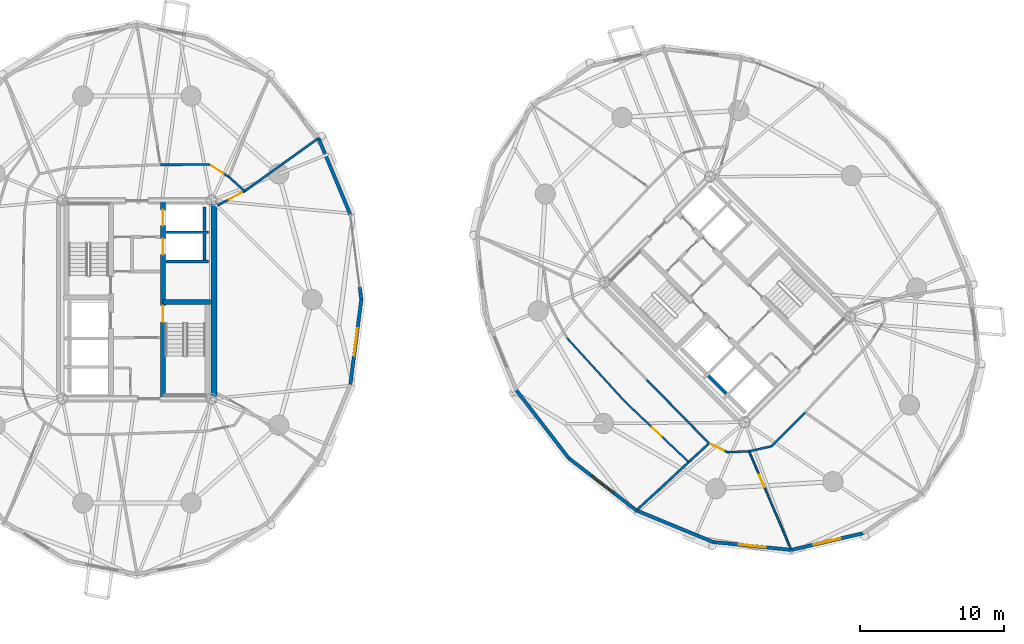
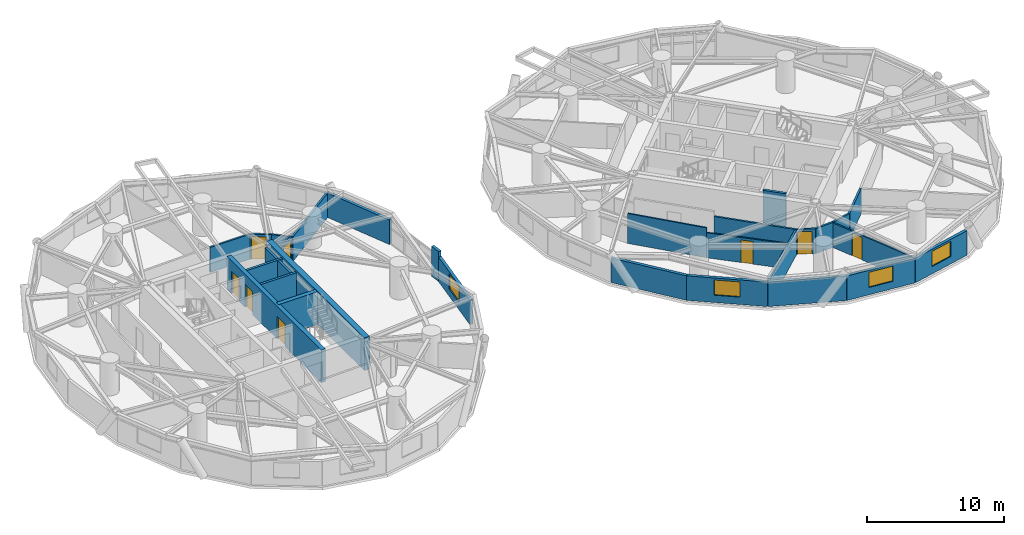
# One storey, part 11 of 17: 30 walls, 8 doors, 4 windows, 12 openings.
"""IFC4 building model written with IfcOpenShell, lengths in metres."""

from ifc_helpers import new_model, si_unit, direction, frame, frame_2d, origin, place, context, subcontext, project, spatial, rectangle, extrude, source, transform, mapped, material, layer, layer_set, type_object, element, fill, save


model = new_model("IFC4")

# Units and contexts
model_context = context("Model", 3, precision=1e-05, world=origin(), true_north=direction((0.0, 1.0)))
body_context = subcontext(model_context, "Body", "Model", "MODEL_VIEW")
ifc_project = project(units=[si_unit("LENGTHUNIT", "METRE"), si_unit("AREAUNIT", "SQUARE_METRE"), si_unit("VOLUMEUNIT", "CUBIC_METRE"), si_unit("PLANEANGLEUNIT", "RADIAN"), si_unit("MASSUNIT", "GRAM", prefix="KILO")], contexts=[model_context])

# Site, building, storey
site_placement = place(None, origin())
site = spatial("IfcSite", under=ifc_project, at=site_placement, CompositionType="ELEMENT")
building_placement = place(site_placement, origin())
building = spatial("IfcBuilding", under=site, at=building_placement, Name="Cununo Teusaquillo Station Towers", CompositionType="ELEMENT")
storey_placement = place(building_placement, frame((0.0, 0.0, 116.7099609375)))
storey = spatial("IfcBuildingStorey", under=building, at=storey_placement, Name="L37", CompositionType="ELEMENT", Elevation=116.7099609375)

# Walls
ifc_material_1 = material(Name="Concrete C50/60", Category="concrete")
ifc_layer_1 = layer(ifc_material_1, 0.199951171875)
ifc_layer_set_1 = layer_set([ifc_layer_1], Name="Concrete C50/60")
wall_type_1 = type_object("IfcWallType", Name="WL-CORE-200", PredefinedType="SHEAR", material=ifc_layer_set_1)
for number, where, z_axis, x_axis, name in (
    (1, (18.510009765625, 27.1298828125, 0.0), (0.0, 0.0, 1.0), (1.0, 0.0, 0.0), "L37 Tower A Low-Rise Lift Hoistway South Shear Wall"),
    (2, (18.510009765625, 29.175048828125, 0.0), (0.0, 0.0, 1.0), (1.0, 0.0, 0.0), "L37 Tower A Low-Rise Lift Hoistway Divider Shear Wall"),
):
    element("IfcWall", number, at=place(storey_placement, frame(where, z_axis=z_axis, x_axis=x_axis)), inside=storey, type_object=wall_type_1, Name=name, PredefinedType="SHEAR", context=body_context, shape_type="SweptSolid", body=[
        extrude(rectangle(XDim=2.969970703125, YDim=0.199951171875, at=frame_2d((1.48486328125, 0.0))), origin(), (0.0, 0.0, 1.0), 2.91015625),
    ])
wall_1_placement = place(storey_placement, frame((21.179931640625, 27.25, 0.0), z_axis=(0.0, 0.0, 1.0), x_axis=(0.0, 1.0, 0.0)))
element("IfcWall", 3, at=wall_1_placement, inside=storey, type_object=wall_type_1, Name="L37 Tower A Low-Rise Lift 1 Shaft Rear Shear Wall", PredefinedType="SHEAR", context=body_context, shape_type="SweptSolid", body=[
    extrude(rectangle(XDim=1.804931640625, YDim=0.199951171875, at=frame_2d((0.90234375, 0.0))), origin(), (0.0, 0.0, 1.0), 2.91015625),
])
wall_2_placement = place(storey_placement, frame((21.179931640625, 29.294921875, 0.0), z_axis=(0.0, 0.0, 1.0), x_axis=(0.0, 1.0, 0.0)))
element("IfcWall", 4, at=wall_2_placement, inside=storey, type_object=wall_type_1, Name="L37 Tower A Low-Rise Lift 2 Shaft Rear Shear Wall", PredefinedType="SHEAR", context=body_context, shape_type="SweptSolid", body=[
    extrude(rectangle(XDim=1.635009765625, YDim=0.199951171875, at=frame_2d((0.8173828125, 0.0))), origin(), (0.0, 0.0, 1.0), 2.91015625),
])
wall_3_placement = place(storey_placement, frame((57.41162109375, 17.969970703125, 0.0), z_axis=(0.0, 0.0, 1.0), x_axis=(-0.707106781187, 0.707106781187, 0.0)))
element("IfcWall", 5, at=wall_3_placement, inside=storey, type_object=wall_type_1, Name="L37 Tower B High-Rise Lift 2 Shaft Rear Shear Wall", PredefinedType="SHEAR", context=body_context, shape_type="SweptSolid", body=[
    extrude(rectangle(XDim=1.73486328125, YDim=0.199951171875, at=frame_2d((0.867431640625, 0.0))), origin(), (0.0, 0.0, 1.0), 2.91015625),
])

# Wall, openings, doors
ifc_material_2 = material(Name="Concrete C50/60", Category="concrete")
ifc_layer_2 = layer(ifc_material_2, 0.35009765625)
ifc_layer_set_2 = layer_set([ifc_layer_2], Name="Concrete C50/60")
wall_type_2 = type_object("IfcWallType", Name="WL-CORE-350", PredefinedType="SHEAR", material=ifc_layer_set_2)
wall_4_placement = place(storey_placement, frame((18.31494140625, 17.625, 0.0), z_axis=(0.0, 0.0, 1.0), x_axis=(0.0, 1.0, 0.0)))
wall_4 = element("IfcWall", 6, at=wall_4_placement, inside=storey, type_object=wall_type_2, Name="L37 Tower A Core Shear Wall IE", PredefinedType="SHEAR", context=body_context, shape_type="SweptSolid", body=[
    extrude(rectangle(XDim=13.75, YDim=0.35009765625, at=frame_2d((6.875, 0.0))), origin(), (0.0, 0.0, 1.0), 2.91015625),
])
shared_shape_1 = source(origin(), body_context, "Body", "SweptSolid", [
    extrude(rectangle(XDim=1.10009765625, YDim=2.014892578125, at=frame_2d((0.550048828125, 1.00732421875))), frame((0.0, 0.18505859375, 0.0), z_axis=(0.0, -1.0, 0.0), x_axis=(1.0, 0.0, 0.0)), (0.0, 0.0, 1.0), 0.3701171875),
])
opening_1_placement = place(wall_4_placement, frame((10.0, 0.0, 0.0)))
opening_1 = element("IfcOpeningElement", 7, at=opening_1_placement, cuts=wall_4, Name="Opening LD-01", PredefinedType="OPENING", context=body_context, shape_type="MappedRepresentation", body=[
    mapped(shared_shape_1, transform((0.0, 0.0, 0.0), x_axis=(1.0, 0.0, 0.0), y_axis=(0.0, 1.0, 0.0), z_axis=(0.0, 0.0, 1.0), scale=1.0)),
])
opening_2_placement = place(wall_4_placement, frame((12.0, 0.0, 0.0)))
opening_2 = element("IfcOpeningElement", 8, at=opening_2_placement, cuts=wall_4, Name="Opening LD-01", PredefinedType="OPENING", context=body_context, shape_type="MappedRepresentation", body=[
    mapped(shared_shape_1, transform((0.0, 0.0, 0.0), x_axis=(1.0, 0.0, 0.0), y_axis=(0.0, 1.0, 0.0), z_axis=(0.0, 0.0, 1.0), scale=1.0)),
])
shared_shape_2 = source(origin(), body_context, "Body", "SweptSolid", [
    extrude(rectangle(XDim=1.14990234375, YDim=2.02001953125, at=frame_2d((0.574951171875, 1.010009765625))), frame((0.0, 0.18505859375, 0.0), z_axis=(0.0, -1.0, 0.0), x_axis=(1.0, 0.0, 0.0)), (0.0, 0.0, 1.0), 0.3701171875),
])
opening_3_placement = place(wall_4_placement, frame((5.304931640625, 0.0, 0.0)))
opening_3 = element("IfcOpeningElement", 9, at=opening_3_placement, cuts=wall_4, Name="Opening D-ST1", PredefinedType="OPENING", context=body_context, shape_type="MappedRepresentation", body=[
    mapped(shared_shape_2, transform((0.0, 0.0, 0.0), x_axis=(1.0, 0.0, 0.0), y_axis=(0.0, 1.0, 0.0), z_axis=(0.0, 0.0, 1.0), scale=1.0)),
])
ifc_material_3 = material(Name="Galvanised fire-rated hollow steel door assembly", Category="steel")
door_type_1 = type_object("IfcDoorType", Name="DR-LIFT-1100", OperationType="SLIDING_TO_LEFT", PredefinedType="DOOR", material=ifc_material_3)
shared_shape_3 = source(origin(), body_context, "Body", "SweptSolid", [
    extrude(rectangle(XDim=1.10009765625, YDim=2.014892578125, at=frame_2d((0.550048828125, 1.00732421875))), frame((0.0, 0.02490234375, 0.0), z_axis=(0.0, -1.0, 0.0), x_axis=(1.0, 0.0, 0.0)), (0.0, 0.0, 1.0), 0.050048828125),
])
door_1_placement = place(opening_1_placement, origin())
door_1 = element("IfcDoor", 10, at=door_1_placement, inside=storey, type_object=door_type_1, Name="L37 Lift PL-T1-L1 Sliding Landing Door", OperationType="SLIDING_TO_RIGHT", OverallHeight=2.014892578125, OverallWidth=1.10009765625, PredefinedType="DOOR", context=body_context, shape_type="MappedRepresentation", body=[
    mapped(shared_shape_3, transform((0.0, 0.0, 0.0), x_axis=(1.0, 0.0, 0.0), y_axis=(0.0, 1.0, 0.0), z_axis=(0.0, 0.0, 1.0), scale=1.0)),
])
fill(opening_1, door_1)
door_2_placement = place(opening_2_placement, origin())
door_2 = element("IfcDoor", 11, at=door_2_placement, inside=storey, type_object=door_type_1, Name="L37 Lift PL-T1-L2 Sliding Landing Door", OperationType="SLIDING_TO_LEFT", OverallHeight=2.014892578125, OverallWidth=1.10009765625, PredefinedType="DOOR", context=body_context, shape_type="MappedRepresentation", body=[
    mapped(shared_shape_3, transform((0.0, 0.0, 0.0), x_axis=(1.0, 0.0, 0.0), y_axis=(0.0, 1.0, 0.0), z_axis=(0.0, 0.0, 1.0), scale=1.0)),
])
fill(opening_2, door_2)
ifc_material_4 = material(Name="Galvanised fire-rated hollow steel door assembly", Category="steel")
door_type_2 = type_object("IfcDoorType", Name="DR-STAIR-1150", OperationType="NOTDEFINED", PredefinedType="DOOR", material=ifc_material_4)
shared_shape_4 = source(origin(), body_context, "Body", "SweptSolid", [
    extrude(rectangle(XDim=1.14990234375, YDim=2.02001953125, at=frame_2d((0.574951171875, 1.010009765625))), frame((0.0, 0.02490234375, 0.0), z_axis=(0.0, -1.0, 0.0), x_axis=(1.0, 0.0, 0.0)), (0.0, 0.0, 1.0), 0.050048828125),
])
door_3_placement = place(opening_3_placement, origin())
door_3 = element("IfcDoor", 12, at=door_3_placement, inside=storey, type_object=door_type_2, Name="L37 Tower A Exit Stair 2 Fire Door", OperationType="SINGLE_SWING_LEFT", OverallHeight=2.02001953125, OverallWidth=1.14990234375, PredefinedType="DOOR", context=body_context, shape_type="MappedRepresentation", body=[
    mapped(shared_shape_4, transform((0.0, 0.0, 0.0), x_axis=(1.0, 0.0, 0.0), y_axis=(0.0, 1.0, 0.0), z_axis=(0.0, 0.0, 1.0), scale=1.0)),
])
fill(opening_3, door_3)

# Walls
wall_5_placement = place(storey_placement, frame((18.31494140625, 24.344970703125, 0.0), z_axis=(0.0, 0.0, 1.0), x_axis=(1.0, 0.0, 0.0)))
element("IfcWall", 13, at=wall_5_placement, inside=storey, type_object=wall_type_2, Name="L37 Tower A Core Shear Wall ST2N", PredefinedType="SHEAR", context=body_context, shape_type="SweptSolid", body=[
    extrude(rectangle(XDim=3.28515625, YDim=0.35009765625, at=frame_2d((1.642578125, 0.0))), origin(), (0.0, 0.0, 1.0), 2.91015625),
])
ifc_material_5 = material(Name="Concrete C60/75", Category="concrete")
ifc_layer_3 = layer(ifc_material_5, 0.449951171875)
ifc_layer_set_3 = layer_set([ifc_layer_3], Name="Concrete C60/75")
wall_type_3 = type_object("IfcWallType", Name="WL-CORE-450", PredefinedType="SHEAR", material=ifc_layer_set_3)
wall_6_placement = place(storey_placement, frame((21.85009765625, 17.39990234375, 0.0), z_axis=(0.0, 0.0, 1.0), x_axis=(0.0, 1.0, 0.0)))
element("IfcWall", 14, at=wall_6_placement, inside=storey, type_object=wall_type_3, Name="L37 Tower A Core Shear Wall E", PredefinedType="SHEAR", context=body_context, shape_type="SweptSolid", body=[
    extrude(rectangle(XDim=14.2001953125, YDim=0.449951171875, at=frame_2d((7.10009765625, 0.0))), origin(), (0.0, 0.0, 1.0), 2.91015625),
])
ifc_material_6 = material(Name="Precast concrete C40/50", Category="concrete")
ifc_layer_4 = layer(ifc_material_6, 0.239990234375)
ifc_layer_set_4 = layer_set([ifc_layer_4], Name="Precast concrete C40/50")
wall_type_4 = type_object("IfcWallType", Name="WL-EXT-240", PredefinedType="SOLIDWALL", material=ifc_layer_set_4)
wall_7_placement = place(storey_placement, frame((31.96923828125, 25.36279296875, 0.0), z_axis=(0.0, 0.0, 1.0), x_axis=(0.128523364007, -0.991706481225, 0.0)))
element("IfcWall", 15, at=wall_7_placement, inside=storey, type_object=wall_type_4, Name="L37 Tower A Column Pier Cladding Wall C00-PB", PredefinedType="SOLIDWALL", context=body_context, shape_type="SweptSolid", body=[
    extrude(rectangle(XDim=0.8701171875, YDim=0.239990234375, at=frame_2d((0.43505859375, 0.0))), origin(), (0.0, 0.0, 1.0), 2.655029296875),
])
wall_8_placement = place(storey_placement, frame((29.105224609375, 35.708984375, 0.0), z_axis=(0.0, 0.0, 1.0), x_axis=(0.384344417632, -0.923189779317, 0.0)))
element("IfcWall", 16, at=wall_8_placement, inside=storey, type_object=wall_type_4, Name="L37 Tower A Exterior Facade Wall C01", PredefinedType="SOLIDWALL", context=body_context, shape_type="SweptSolid", body=[
    extrude(rectangle(XDim=5.75830078125, YDim=0.239990234375, at=frame_2d((2.879150390625, 0.0))), origin(), (0.0, 0.0, 1.0), 2.178955078125),
])

# Wall, opening, window
wall_9_placement = place(storey_placement, frame((32.0810546875, 24.5, 0.0), z_axis=(0.0, 0.0, 1.0), x_axis=(-0.128351991996, -0.991728675672, 0.0)))
wall_9 = element("IfcWall", 17, at=wall_9_placement, inside=storey, type_object=wall_type_4, Name="L37 Tower A Exterior Facade Wall C19", PredefinedType="SOLIDWALL", context=body_context, shape_type="SweptSolid", body=[
    extrude(rectangle(XDim=5.942138671875, YDim=0.239990234375, at=frame_2d((2.97119140625, 0.0))), origin(), (0.0, 0.0, 1.0), 2.178955078125),
])
shared_shape_5 = source(origin(), body_context, "Body", "SweptSolid", [
    extrude(rectangle(XDim=1.89990234375, YDim=1.35009765625, at=frame_2d((0.949951171875, 0.675048828125))), frame((0.0, 0.1298828125, 0.0), z_axis=(0.0, -1.0, 0.0), x_axis=(1.0, 0.0, 0.0)), (0.0, 0.0, 1.0), 0.260009765625),
])
opening_4_placement = place(wall_9_placement, frame((2.02099609375, 0.0, 0.64990234375)))
opening_4 = element("IfcOpeningElement", 18, at=opening_4_placement, cuts=wall_9, Name="Opening WN-02", PredefinedType="OPENING", context=body_context, shape_type="MappedRepresentation", body=[
    mapped(shared_shape_5, transform((0.0, 0.0, 0.0), x_axis=(1.0, 0.0, 0.0), y_axis=(0.0, 1.0, 0.0), z_axis=(0.0, 0.0, 1.0), scale=1.0)),
])
ifc_material_7 = material(Name="Operable acoustic tinted low-E double glazing", Category="glass")
window_type = type_object("IfcWindowType", Name="WIN-OPER-1900", PartitioningType="DOUBLE_PANEL_VERTICAL", PredefinedType="WINDOW", material=ifc_material_7)
shared_shape_6 = source(origin(), body_context, "Body", "SweptSolid", [
    extrude(rectangle(XDim=1.89990234375, YDim=1.35009765625, at=frame_2d((0.949951171875, 0.675048828125))), frame((0.0, 0.030029296875, 0.0), z_axis=(0.0, -1.0, 0.0), x_axis=(1.0, 0.0, 0.0)), (0.0, 0.0, 1.0), 0.06005859375),
])
window_1_placement = place(opening_4_placement, origin())
window_1 = element("IfcWindow", 19, at=window_1_placement, inside=storey, type_object=window_type, Name="L37 Tower A Facade Window C19", OverallHeight=1.35009765625, OverallWidth=1.89990234375, PartitioningType="DOUBLE_PANEL_VERTICAL", PredefinedType="WINDOW", context=body_context, shape_type="MappedRepresentation", body=[
    mapped(shared_shape_6, transform((0.0, 0.0, 0.0), x_axis=(1.0, 0.0, 0.0), y_axis=(0.0, 1.0, 0.0), z_axis=(0.0, 0.0, 1.0), scale=1.0)),
])
fill(opening_4, window_1)

# Wall
wall_10_placement = place(storey_placement, frame((46.482666015625, 13.482666015625, 0.0), z_axis=(0.0, 0.0, 1.0), x_axis=(-0.61054437102, 0.791982052206, 0.0)))
element("IfcWall", 20, at=wall_10_placement, inside=storey, type_object=wall_type_4, Name="L37 Tower B Exterior Facade Wall C09", PredefinedType="SOLIDWALL", context=body_context, shape_type="SweptSolid", body=[
    extrude(rectangle(XDim=5.942138671875, YDim=0.239990234375, at=frame_2d((2.97119140625, 0.0))), origin(), (0.0, 0.0, 1.0), 2.178955078125),
])

# Wall, opening, window
wall_11_placement = place(storey_placement, frame((51.188720703125, 9.854736328125, 0.0), z_axis=(0.0, 0.0, 1.0), x_axis=(-0.791982052206, 0.61054437102, 0.0)))
wall_11 = element("IfcWall", 21, at=wall_11_placement, inside=storey, type_object=wall_type_4, Name="L37 Tower B Exterior Facade Wall C10", PredefinedType="SOLIDWALL", context=body_context, shape_type="SweptSolid", body=[
    extrude(rectangle(XDim=5.942138671875, YDim=0.239990234375, at=frame_2d((2.97119140625, 0.0))), origin(), (0.0, 0.0, 1.0), 2.178955078125),
])
opening_5_placement = place(wall_11_placement, frame((2.02099609375, 0.0, 0.64990234375)))
opening_5 = element("IfcOpeningElement", 22, at=opening_5_placement, cuts=wall_11, Name="Opening WN-02", PredefinedType="OPENING", context=body_context, shape_type="MappedRepresentation", body=[
    mapped(shared_shape_5, transform((0.0, 0.0, 0.0), x_axis=(1.0, 0.0, 0.0), y_axis=(0.0, 1.0, 0.0), z_axis=(0.0, 0.0, 1.0), scale=1.0)),
])
window_2_placement = place(opening_5_placement, origin())
window_2 = element("IfcWindow", 23, at=window_2_placement, inside=storey, type_object=window_type, Name="L37 Tower B Facade Window C10", OverallHeight=1.35009765625, OverallWidth=1.89990234375, PartitioningType="DOUBLE_PANEL_VERTICAL", PredefinedType="WINDOW", context=body_context, shape_type="MappedRepresentation", body=[
    mapped(shared_shape_6, transform((0.0, 0.0, 0.0), x_axis=(1.0, 0.0, 0.0), y_axis=(0.0, 1.0, 0.0), z_axis=(0.0, 0.0, 1.0), scale=1.0)),
])
fill(opening_5, window_2)

# Wall
wall_12_placement = place(storey_placement, frame((56.5126953125, 7.66064453125, 0.0), z_axis=(0.0, 0.0, 1.0), x_axis=(-0.924563909604, 0.381027003055, 0.0)))
element("IfcWall", 24, at=wall_12_placement, inside=storey, type_object=wall_type_4, Name="L37 Tower B Exterior Facade Wall C11", PredefinedType="SOLIDWALL", context=body_context, shape_type="SweptSolid", body=[
    extrude(rectangle(XDim=5.75830078125, YDim=0.239990234375, at=frame_2d((2.879150390625, 0.0))), origin(), (0.0, 0.0, 1.0), 2.178955078125),
])

# Wall, opening, window
wall_13_placement = place(storey_placement, frame((61.933349609375, 7.114990234375, 0.0), z_axis=(0.0, 0.0, 1.0), x_axis=(-0.994971754311, 0.10015591906, 0.0)))
wall_13 = element("IfcWall", 25, at=wall_13_placement, inside=storey, type_object=wall_type_4, Name="L37 Tower B Exterior Facade Wall C12", PredefinedType="SOLIDWALL", context=body_context, shape_type="SweptSolid", body=[
    extrude(rectangle(XDim=5.447998046875, YDim=0.239990234375, at=frame_2d((2.72412109375, 0.0))), origin(), (0.0, 0.0, 1.0), 2.178955078125),
])
opening_6_placement = place(wall_13_placement, frame((1.77392578125, 0.0, 0.64990234375)))
opening_6 = element("IfcOpeningElement", 26, at=opening_6_placement, cuts=wall_13, Name="Opening WN-02", PredefinedType="OPENING", context=body_context, shape_type="MappedRepresentation", body=[
    mapped(shared_shape_5, transform((0.0, 0.0, 0.0), x_axis=(1.0, 0.0, 0.0), y_axis=(0.0, 1.0, 0.0), z_axis=(0.0, 0.0, 1.0), scale=1.0)),
])
window_3_placement = place(opening_6_placement, origin())
window_3 = element("IfcWindow", 27, at=window_3_placement, inside=storey, type_object=window_type, Name="L37 Tower B Facade Window C12", OverallHeight=1.35009765625, OverallWidth=1.89990234375, PartitioningType="DOUBLE_PANEL_VERTICAL", PredefinedType="WINDOW", context=body_context, shape_type="MappedRepresentation", body=[
    mapped(shared_shape_6, transform((0.0, 0.0, 0.0), x_axis=(1.0, 0.0, 0.0), y_axis=(0.0, 1.0, 0.0), z_axis=(0.0, 0.0, 1.0), scale=1.0)),
])
fill(opening_6, window_3)

wall_14_placement = place(storey_placement, frame((66.919921875, 8.27099609375, 0.0), z_axis=(0.0, 0.0, 1.0), x_axis=(-0.974165631126, -0.225834725257, 0.0)))
wall_14 = element("IfcWall", 28, at=wall_14_placement, inside=storey, type_object=wall_type_4, Name="L37 Tower B Exterior Facade Wall C13", PredefinedType="SOLIDWALL", context=body_context, shape_type="SweptSolid", body=[
    extrude(rectangle(XDim=5.118896484375, YDim=0.239990234375, at=frame_2d((2.5595703125, 0.0))), origin(), (0.0, 0.0, 1.0), 2.178955078125),
])
opening_7_placement = place(wall_14_placement, frame((1.60888671875, 0.0, 0.64990234375)))
opening_7 = element("IfcOpeningElement", 29, at=opening_7_placement, cuts=wall_14, Name="Opening WN-02", PredefinedType="OPENING", context=body_context, shape_type="MappedRepresentation", body=[
    mapped(shared_shape_5, transform((0.0, 0.0, 0.0), x_axis=(1.0, 0.0, 0.0), y_axis=(0.0, 1.0, 0.0), z_axis=(0.0, 0.0, 1.0), scale=1.0)),
])
window_4_placement = place(opening_7_placement, origin())
window_4 = element("IfcWindow", 30, at=window_4_placement, inside=storey, type_object=window_type, Name="L37 Tower B Facade Window C13", OverallHeight=1.35009765625, OverallWidth=1.89990234375, PartitioningType="DOUBLE_PANEL_VERTICAL", PredefinedType="WINDOW", context=body_context, shape_type="MappedRepresentation", body=[
    mapped(shared_shape_6, transform((0.0, 0.0, 0.0), x_axis=(1.0, 0.0, 0.0), y_axis=(0.0, 1.0, 0.0), z_axis=(0.0, 0.0, 1.0), scale=1.0)),
])
fill(opening_7, window_4)

# Wall
ifc_material_8 = material(Name="Fire-rated gypsum plasterboard partition assembly", Category="gypsum")
ifc_layer_5 = layer(ifc_material_8, 0.125)
ifc_layer_set_5 = layer_set([ifc_layer_5], Name="Fire-rated gypsum plasterboard partition assembly")
wall_type_5 = type_object("IfcWallType", Name="WL-PART-125", PredefinedType="PARTITIONING", material=ifc_layer_set_5)
wall_15_placement = place(storey_placement, frame((46.352294921875, 21.837646484375, 0.0), z_axis=(0.0, 0.0, 1.0), x_axis=(0.673416949194, -0.739262884594, 0.0)))
element("IfcWall", 31, at=wall_15_placement, inside=storey, type_object=wall_type_5, Name="L37 Tower B Corporate Strategy Boardroom Concentric Partition Wall C09", PredefinedType="PARTITIONING", context=body_context, shape_type="SweptSolid", body=[
    extrude(rectangle(XDim=6.006591796875, YDim=0.125, at=frame_2d((3.00341796875, 0.0))), origin(), (0.0, 0.0, 1.0), 2.655029296875),
])

# Wall, opening, door
wall_16_placement = place(storey_placement, frame((50.397216796875, 17.397216796875, 0.0), z_axis=(0.0, 0.0, 1.0), x_axis=(0.726427828833, -0.687242758781, 0.0)))
wall_16 = element("IfcWall", 32, at=wall_16_placement, inside=storey, type_object=wall_type_5, Name="L37 Tower B Corporate Strategy Boardroom Concentric Partition Wall C10", PredefinedType="PARTITIONING", context=body_context, shape_type="SweptSolid", body=[
    extrude(rectangle(XDim=6.087158203125, YDim=0.125, at=frame_2d((3.04345703125, 0.0))), origin(), (0.0, 0.0, 1.0), 2.22509765625),
])
shared_shape_7 = source(origin(), body_context, "Body", "SweptSolid", [
    extrude(rectangle(XDim=0.89990234375, YDim=2.0048828125, at=frame_2d((0.449951171875, 1.00244140625))), frame((0.0, 0.072509765625, 0.0), z_axis=(0.0, -1.0, 0.0), x_axis=(1.0, 0.0, 0.0)), (0.0, 0.0, 1.0), 0.14501953125),
])
opening_8_placement = place(wall_16_placement, frame((2.593505859375, 0.0, 0.0)))
opening_8 = element("IfcOpeningElement", 33, at=opening_8_placement, cuts=wall_16, Name="Opening D-IN1", PredefinedType="OPENING", context=body_context, shape_type="MappedRepresentation", body=[
    mapped(shared_shape_7, transform((0.0, 0.0, 0.0), x_axis=(1.0, 0.0, 0.0), y_axis=(0.0, 1.0, 0.0), z_axis=(0.0, 0.0, 1.0), scale=1.0)),
])
ifc_material_9 = material(Name="Acoustic solid-core hardwood leaf assembly", Category="wood")
door_type_3 = type_object("IfcDoorType", Name="DR-INT-900", OperationType="NOTDEFINED", PredefinedType="DOOR", material=ifc_material_9)
shared_shape_8 = source(origin(), body_context, "Body", "SweptSolid", [
    extrude(rectangle(XDim=0.89990234375, YDim=2.0048828125, at=frame_2d((0.449951171875, 1.00244140625))), frame((0.0, 0.02490234375, 0.0), z_axis=(0.0, -1.0, 0.0), x_axis=(1.0, 0.0, 0.0)), (0.0, 0.0, 1.0), 0.050048828125),
])
door_4_placement = place(opening_8_placement, origin())
door_4 = element("IfcDoor", 34, at=door_4_placement, inside=storey, type_object=door_type_3, Name="L37 Tower B Corporate Strategy Boardroom Connecting Door", OperationType="SINGLE_SWING_RIGHT", OverallHeight=2.0048828125, OverallWidth=0.89990234375, PredefinedType="DOOR", context=body_context, shape_type="MappedRepresentation", body=[
    mapped(shared_shape_8, transform((0.0, 0.0, 0.0), x_axis=(1.0, 0.0, 0.0), y_axis=(0.0, 1.0, 0.0), z_axis=(0.0, 0.0, 1.0), scale=1.0)),
])
fill(opening_8, door_4)

wall_17_placement = place(storey_placement, frame((59.008056640625, 13.962890625, 0.0), z_axis=(0.0, 0.0, 1.0), x_axis=(0.393439207333, -0.919350635032, 0.0)))
wall_17 = element("IfcWall", 35, at=wall_17_placement, inside=storey, type_object=wall_type_5, Name="L37 Tower B Treasury & Corporate Finance Practice Suite Subdividing Wall", PredefinedType="PARTITIONING", context=body_context, shape_type="SweptSolid", body=[
    extrude(rectangle(XDim=7.427001953125, YDim=0.125, at=frame_2d((3.71337890625, 0.0))), origin(), (0.0, 0.0, 1.0), 2.178955078125),
])
opening_9_placement = place(wall_17_placement, frame((1.800048828125, 0.0, 0.0)))
opening_9 = element("IfcOpeningElement", 36, at=opening_9_placement, cuts=wall_17, Name="Opening D-IN1", PredefinedType="OPENING", context=body_context, shape_type="MappedRepresentation", body=[
    mapped(shared_shape_7, transform((0.0, 0.0, 0.0), x_axis=(1.0, 0.0, 0.0), y_axis=(0.0, 1.0, 0.0), z_axis=(0.0, 0.0, 1.0), scale=1.0)),
])
door_5_placement = place(opening_9_placement, origin())
door_5 = element("IfcDoor", 37, at=door_5_placement, inside=storey, type_object=door_type_3, Name="L37 Tower B Treasury & Corporate Finance Practice Suite Connecting Door", OperationType="SINGLE_SWING_RIGHT", OverallHeight=2.0048828125, OverallWidth=0.89990234375, PredefinedType="DOOR", context=body_context, shape_type="MappedRepresentation", body=[
    mapped(shared_shape_8, transform((0.0, 0.0, 0.0), x_axis=(1.0, 0.0, 0.0), y_axis=(0.0, 1.0, 0.0), z_axis=(0.0, 0.0, 1.0), scale=1.0)),
])
fill(opening_9, door_5)

# Wall
ifc_material_10 = material(Name="Fire-rated gypsum plasterboard partition assembly", Category="gypsum")
ifc_layer_6 = layer(ifc_material_10, 0.14990234375)
ifc_layer_set_6 = layer_set([ifc_layer_6], Name="Fire-rated gypsum plasterboard partition assembly")
wall_type_6 = type_object("IfcWallType", Name="WL-PART-150", PredefinedType="PARTITIONING", material=ifc_layer_set_6)
wall_18_placement = place(storey_placement, frame((23.979736328125, 32.02685546875, 0.0), z_axis=(0.0, 0.0, 1.0), x_axis=(-0.742353224332, 0.670008724065, 0.0)))
element("IfcWall", 38, at=wall_18_placement, inside=storey, type_object=wall_type_6, Name="L37 Tower A Corridor Ring Wall C02", PredefinedType="PARTITIONING", context=body_context, shape_type="SweptSolid", body=[
    extrude(rectangle(XDim=1.48486328125, YDim=0.14990234375, at=frame_2d((0.742431640625, 0.0))), origin(), (0.0, 0.0, 1.0), 2.22509765625),
])

# Wall, opening, door
wall_19_placement = place(storey_placement, frame((22.87744140625, 33.021728515625, 0.0), z_axis=(0.0, 0.0, 1.0), x_axis=(-0.845895608855, 0.533348496689, 0.0)))
wall_19 = element("IfcWall", 39, at=wall_19_placement, inside=storey, type_object=wall_type_6, Name="L37 Tower A Corridor Ring Wall C03", PredefinedType="PARTITIONING", context=body_context, shape_type="SweptSolid", body=[
    extrude(rectangle(XDim=1.5966796875, YDim=0.14990234375, at=frame_2d((0.79833984375, 0.0))), origin(), (0.0, 0.0, 1.0), 2.22509765625),
])
shared_shape_9 = source(origin(), body_context, "Body", "SweptSolid", [
    extrude(rectangle(XDim=1.050048828125, YDim=2.014892578125, at=frame_2d((0.52490234375, 1.00732421875))), frame((0.0, 0.0849609375, 0.0), z_axis=(0.0, -1.0, 0.0), x_axis=(1.0, 0.0, 0.0)), (0.0, 0.0, 1.0), 0.169921875),
])
opening_10_placement = place(wall_19_placement, frame((0.4267578125, 0.0, 0.0)))
opening_10 = element("IfcOpeningElement", 40, at=opening_10_placement, cuts=wall_19, Name="Opening D-SU1", PredefinedType="OPENING", context=body_context, shape_type="MappedRepresentation", body=[
    mapped(shared_shape_9, transform((0.0, 0.0, 0.0), x_axis=(1.0, 0.0, 0.0), y_axis=(0.0, 1.0, 0.0), z_axis=(0.0, 0.0, 1.0), scale=1.0)),
])
ifc_material_11 = material(Name="Acoustic solid-core hardwood leaf assembly", Category="wood")
door_type_4 = type_object("IfcDoorType", Name="DR-SUITE-1050", OperationType="NOTDEFINED", PredefinedType="DOOR", material=ifc_material_11)
shared_shape_10 = source(origin(), body_context, "Body", "SweptSolid", [
    extrude(rectangle(XDim=1.050048828125, YDim=2.014892578125, at=frame_2d((0.52490234375, 1.00732421875))), frame((0.0, 0.02490234375, 0.0), z_axis=(0.0, -1.0, 0.0), x_axis=(1.0, 0.0, 0.0)), (0.0, 0.0, 1.0), 0.050048828125),
])
door_6_placement = place(opening_10_placement, origin())
door_6 = element("IfcDoor", 41, at=door_6_placement, inside=storey, type_object=door_type_4, Name="L37 Tower A Executive C-Suite Corner Office Entrance Door", OperationType="SINGLE_SWING_RIGHT", OverallHeight=2.014892578125, OverallWidth=1.050048828125, PredefinedType="DOOR", context=body_context, shape_type="MappedRepresentation", body=[
    mapped(shared_shape_10, transform((0.0, 0.0, 0.0), x_axis=(1.0, 0.0, 0.0), y_axis=(0.0, 1.0, 0.0), z_axis=(0.0, 0.0, 1.0), scale=1.0)),
])
fill(opening_10, door_6)

# Walls
wall_20_placement = place(storey_placement, frame((21.52685546875, 33.873291015625, 0.0), z_axis=(0.0, 0.0, 1.0), x_axis=(-0.999991838845, -0.004040079574, 0.0)))
element("IfcWall", 42, at=wall_20_placement, inside=storey, type_object=wall_type_6, Name="L37 Tower A Corridor Ring Wall C04", PredefinedType="PARTITIONING", context=body_context, shape_type="SweptSolid", body=[
    extrude(rectangle(XDim=3.384033203125, YDim=0.14990234375, at=frame_2d((1.69189453125, 0.0))), origin(), (0.0, 0.0, 1.0), 2.22509765625),
])
wall_21_placement = place(storey_placement, frame((51.913818359375, 18.913818359375, 0.0), z_axis=(0.0, 0.0, 1.0), x_axis=(0.699999313799, -0.714143515465, 0.0)))
element("IfcWall", 43, at=wall_21_placement, inside=storey, type_object=wall_type_6, Name="L37 Tower B Corridor Ring Wall C10", PredefinedType="PARTITIONING", context=body_context, shape_type="SweptSolid", body=[
    extrude(rectangle(XDim=6.162109375, YDim=0.14990234375, at=frame_2d((3.0810546875, 0.0))), origin(), (0.0, 0.0, 1.0), 2.22509765625),
])

# Wall, opening, door
wall_22_placement = place(storey_placement, frame((56.227294921875, 14.51318359375, 0.0), z_axis=(0.0, 0.0, 1.0), x_axis=(0.901477579283, -0.432825801044, 0.0)))
wall_22 = element("IfcWall", 44, at=wall_22_placement, inside=storey, type_object=wall_type_6, Name="L37 Tower B Corridor Ring Wall C11", PredefinedType="PARTITIONING", context=body_context, shape_type="SweptSolid", body=[
    extrude(rectangle(XDim=1.42431640625, YDim=0.14990234375, at=frame_2d((0.712158203125, 0.0))), origin(), (0.0, 0.0, 1.0), 2.22509765625),
])
opening_11_placement = place(wall_22_placement, frame((0.1201171875, 0.0, 0.0)))
opening_11 = element("IfcOpeningElement", 45, at=opening_11_placement, cuts=wall_22, Name="Opening D-SU1", PredefinedType="OPENING", context=body_context, shape_type="MappedRepresentation", body=[
    mapped(shared_shape_9, transform((0.0, 0.0, 0.0), x_axis=(1.0, 0.0, 0.0), y_axis=(0.0, 1.0, 0.0), z_axis=(0.0, 0.0, 1.0), scale=1.0)),
])
door_7_placement = place(opening_11_placement, origin())
door_7 = element("IfcDoor", 46, at=door_7_placement, inside=storey, type_object=door_type_4, Name="L37 Tower B Treasury & Corporate Finance Practice Entrance Door", OperationType="SINGLE_SWING_LEFT", OverallHeight=2.014892578125, OverallWidth=1.050048828125, PredefinedType="DOOR", context=body_context, shape_type="MappedRepresentation", body=[
    mapped(shared_shape_10, transform((0.0, 0.0, 0.0), x_axis=(1.0, 0.0, 0.0), y_axis=(0.0, 1.0, 0.0), z_axis=(0.0, 0.0, 1.0), scale=1.0)),
])
fill(opening_11, door_7)

# Walls
wall_23_placement = place(storey_placement, frame((57.51123046875, 13.896728515625, 0.0), z_axis=(0.0, 0.0, 1.0), x_axis=(0.999024538494, 0.044158481476, 0.0)))
element("IfcWall", 47, at=wall_23_placement, inside=storey, type_object=wall_type_6, Name="L37 Tower B Corridor Ring Wall C12", PredefinedType="PARTITIONING", context=body_context, shape_type="SweptSolid", body=[
    extrude(rectangle(XDim=1.498291015625, YDim=0.14990234375, at=frame_2d((0.7490234375, 0.0))), origin(), (0.0, 0.0, 1.0), 2.22509765625),
])
wall_24_placement = place(storey_placement, frame((59.008056640625, 13.962890625, 0.0), z_axis=(0.0, 0.0, 1.0), x_axis=(0.976020856791, 0.21767702476, 0.0)))
element("IfcWall", 48, at=wall_24_placement, inside=storey, type_object=wall_type_6, Name="L37 Tower B Corridor Ring Wall C13", PredefinedType="PARTITIONING", context=body_context, shape_type="SweptSolid", body=[
    extrude(rectangle(XDim=1.592529296875, YDim=0.14990234375, at=frame_2d((0.79638671875, 0.0))), origin(), (0.0, 0.0, 1.0), 2.22509765625),
])
wall_25_placement = place(storey_placement, frame((60.5625, 14.3095703125, 0.0), z_axis=(0.0, 0.0, 1.0), x_axis=(0.704566236161, 0.709638230975, 0.0)))
element("IfcWall", 49, at=wall_25_placement, inside=storey, type_object=wall_type_6, Name="L37 Tower B Corridor Ring Wall C14", PredefinedType="PARTITIONING", context=body_context, shape_type="SweptSolid", body=[
    extrude(rectangle(XDim=3.3212890625, YDim=0.14990234375, at=frame_2d((1.66064453125, 0.0))), origin(), (0.0, 0.0, 1.0), 2.22509765625),
])
ifc_material_12 = material(Name="Fire-rated gypsum plasterboard partition assembly", Category="gypsum")
ifc_layer_7 = layer(ifc_material_12, 0.159912109375)
ifc_layer_set_7 = layer_set([ifc_layer_7], Name="Fire-rated gypsum plasterboard partition assembly")
wall_type_7 = type_object("IfcWallType", Name="WL-PART-160", PredefinedType="PARTITIONING", material=ifc_layer_set_7)
wall_26_placement = place(storey_placement, frame((23.979736328125, 32.02685546875, 0.0), z_axis=(0.0, 0.0, 1.0), x_axis=(0.812162479031, 0.58343132214, 0.0)))
element("IfcWall", 50, at=wall_26_placement, inside=storey, type_object=wall_type_7, Name="L37 Tower A Radial Suite Partition R01", PredefinedType="PARTITIONING", context=body_context, shape_type="SweptSolid", body=[
    extrude(rectangle(XDim=6.291015625, YDim=0.159912109375, at=frame_2d((3.1455078125, 0.0))), origin(), (0.0, 0.0, 1.0), 2.178955078125),
])

# Wall, opening, door
wall_27_placement = place(storey_placement, frame((22.074951171875, 31.02490234375, 0.0), z_axis=(0.0, 0.0, 1.0), x_axis=(0.885026466958, 0.465540710125, 0.0)))
wall_27 = element("IfcWall", 51, at=wall_27_placement, inside=storey, type_object=wall_type_7, Name="L37 Tower A East Salon Corridor Portal Wall NE", PredefinedType="PARTITIONING", context=body_context, shape_type="SweptSolid", body=[
    extrude(rectangle(XDim=2.15234375, YDim=0.159912109375, at=frame_2d((1.076171875, 0.0))), origin(), (0.0, 0.0, 1.0), 2.22509765625),
])
shared_shape_11 = source(origin(), body_context, "Body", "SweptSolid", [
    extrude(rectangle(XDim=1.050048828125, YDim=2.014892578125, at=frame_2d((0.52490234375, 1.00732421875))), frame((0.0, 0.08984375, 0.0), z_axis=(0.0, -1.0, 0.0), x_axis=(1.0, 0.0, 0.0)), (0.0, 0.0, 1.0), 0.179931640625),
])
opening_12_placement = place(wall_27_placement, frame((0.902099609375, 0.0, 0.0)))
opening_12 = element("IfcOpeningElement", 52, at=opening_12_placement, cuts=wall_27, Name="Opening D-SU1", PredefinedType="OPENING", context=body_context, shape_type="MappedRepresentation", body=[
    mapped(shared_shape_11, transform((0.0, 0.0, 0.0), x_axis=(1.0, 0.0, 0.0), y_axis=(0.0, 1.0, 0.0), z_axis=(0.0, 0.0, 1.0), scale=1.0)),
])
door_8_placement = place(opening_12_placement, origin())
door_8 = element("IfcDoor", 53, at=door_8_placement, inside=storey, type_object=door_type_4, Name="L37 Tower A East Panorama Sky Salon Door NE", OperationType="SINGLE_SWING_RIGHT", OverallHeight=2.014892578125, OverallWidth=1.050048828125, PredefinedType="DOOR", context=body_context, shape_type="MappedRepresentation", body=[
    mapped(shared_shape_10, transform((0.0, 0.0, 0.0), x_axis=(1.0, 0.0, 0.0), y_axis=(0.0, 1.0, 0.0), z_axis=(0.0, 0.0, 1.0), scale=1.0)),
])
fill(opening_12, door_8)

# Wall
wall_28_placement = place(storey_placement, frame((56.227294921875, 14.51318359375, 0.0), z_axis=(0.0, 0.0, 1.0), x_axis=(-0.734951144322, -0.678120059768, 0.0)))
element("IfcWall", 54, at=wall_28_placement, inside=storey, type_object=wall_type_7, Name="L37 Tower B Radial Suite Partition R04", PredefinedType="PARTITIONING", context=body_context, shape_type="SweptSolid", body=[
    extrude(rectangle(XDim=6.84326171875, YDim=0.159912109375, at=frame_2d((3.421630859375, 0.0))), origin(), (0.0, 0.0, 1.0), 2.178955078125),
])

save(model, "model.ifc")
